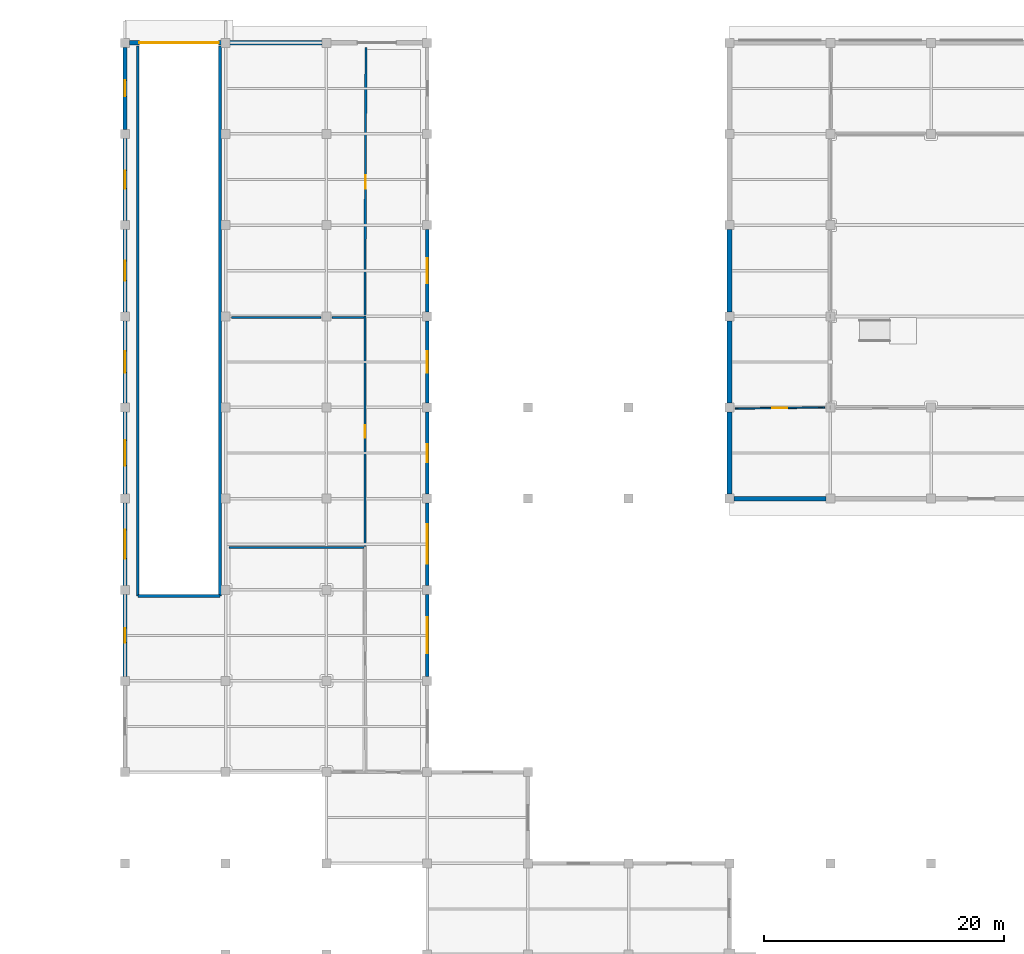
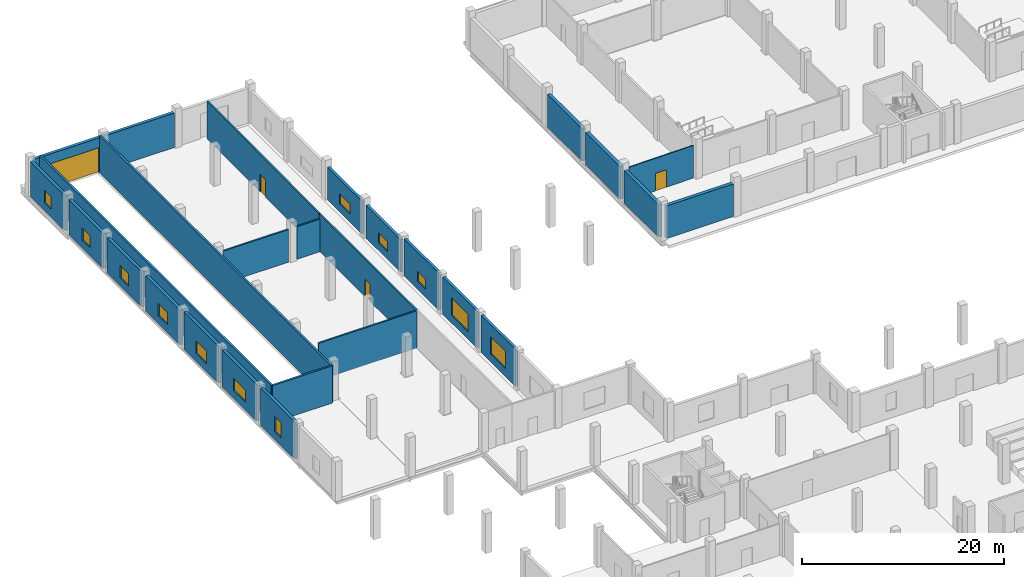
# One storey, part 21 of 36: 26 walls, 12 windows, 4 doors, 16 openings.
"""IFC4 building model written with IfcOpenShell, lengths in metres."""

from ifc_helpers import new_model, si_unit, direction, frame, frame_2d, origin, place, context, subcontext, project, spatial, rectangle, extrude, material, layer, layer_set, type_object, element, fill, save


model = new_model("IFC4")

# Units and contexts
model_context = context("Model", 3, precision=1e-05, world=origin(), true_north=direction((0.0, 1.0)))
body_context = subcontext(model_context, "Body", "Model", "MODEL_VIEW")
ifc_project = project(units=[si_unit("LENGTHUNIT", "METRE"), si_unit("AREAUNIT", "SQUARE_METRE"), si_unit("VOLUMEUNIT", "CUBIC_METRE"), si_unit("PLANEANGLEUNIT", "RADIAN"), si_unit("MASSUNIT", "GRAM", prefix="KILO")], contexts=[model_context])

# Site, building, storey
site_placement = place(None, origin())
site = spatial("IfcSite", under=ifc_project, at=site_placement, CompositionType="ELEMENT")
building_placement = place(site_placement, origin())
building = spatial("IfcBuilding", under=site, at=building_placement, Name="Zuvorla Pavilion Media Centre", CompositionType="ELEMENT")
storey_placement = place(building_placement, origin())
storey = spatial("IfcBuildingStorey", under=building, at=storey_placement, Name="L00", CompositionType="ELEMENT", Elevation=0.0)

# Walls
ifc_material_1 = material(Name="Acoustic masonry blockwork C32/40", Category="masonry")
ifc_layer_1 = layer(ifc_material_1, 0.219970703125)
ifc_layer_set_1 = layer_set([ifc_layer_1], Name="Acoustic masonry blockwork C32/40")
wall_type_1 = type_object("IfcWallType", Name="WL-CMP-220", PredefinedType="SOLIDWALL", material=ifc_layer_set_1)
for number, where, z_axis, x_axis, name in (
    (1, (17.47998046875, 73.8798828125, 0.0), (0.0, 0.0, 1.0), (0.0, 1.0, 0.0), "L00 solid wall IW22 366"),
    (2, (24.320068359375, 73.8798828125, 0.0), (0.0, 0.0, 1.0), (0.0, 1.0, 0.0), "L00 solid wall IW22 367"),
):
    element("IfcWall", number, at=place(storey_placement, frame(where, z_axis=z_axis, x_axis=x_axis)), inside=storey, type_object=wall_type_1, Name=name, PredefinedType="SOLIDWALL", context=body_context, shape_type="SweptSolid", body=[
        extrude(rectangle(XDim=45.8701171875, YDim=0.219970703125, at=frame_2d((22.93505859375, 0.0))), origin(), (0.0, 0.0, 1.0), 4.5),
    ])
wall_1_placement = place(storey_placement, frame((17.47998046875, 73.8798828125, 0.0), z_axis=(0.0, 0.0, 1.0), x_axis=(1.0, 0.0, 0.0)))
element("IfcWall", 3, at=wall_1_placement, inside=storey, type_object=wall_type_1, Name="L00 solid wall IW22 368", PredefinedType="SOLIDWALL", context=body_context, shape_type="SweptSolid", body=[
    extrude(rectangle(XDim=6.840087890625, YDim=0.219970703125, at=frame_2d((3.419921875, 0.0))), origin(), (0.0, 0.0, 1.0), 4.5),
])

# Wall, opening, window
ifc_material_2 = material(Name="White rendered concrete C32/40", Category="concrete")
ifc_layer_2 = layer(ifc_material_2, 0.300048828125)
ifc_layer_set_2 = layer_set([ifc_layer_2], Name="White rendered concrete C32/40")
wall_type_2 = type_object("IfcWallType", Name="WL-EXT-300", PredefinedType="SOLIDWALL", material=ifc_layer_set_2)
wall_2_placement = place(storey_placement, frame((41.60009765625, 67.175048828125, 0.0), z_axis=(0.0, 0.0, 1.0), x_axis=(0.0, 1.0, 0.0)))
wall_2 = element("IfcWall", 4, at=wall_2_placement, inside=storey, type_object=wall_type_2, Name="L00 exterior solid wall EW03 87", PredefinedType="SOLIDWALL", context=body_context, shape_type="SweptSolid", body=[
    extrude(rectangle(XDim=6.849853515625, YDim=0.300048828125, at=frame_2d((3.4248046875, 0.0))), origin(), (0.0, 0.0, 1.0), 4.5),
])
opening_1_placement = place(wall_2_placement, frame((1.925048828125, 0.0, 0.949951171875)))
opening_1 = element("IfcOpeningElement", 5, at=opening_1_placement, cuts=wall_2, Name="Opening WN23", PredefinedType="OPENING", context=body_context, shape_type="SweptSolid", body=[
    extrude(rectangle(XDim=3.0, YDim=2.10009765625, at=frame_2d((1.5, 1.050048828125))), frame((0.0, 0.159912109375, 0.0), z_axis=(0.0, -1.0, 0.0), x_axis=(1.0, 0.0, 0.0)), (0.0, 0.0, 1.0), 0.320068359375),
])
ifc_material_3 = material(Name="Anodised aluminium frame with solar double glazing", Category="aluminium")
window_type_1 = type_object("IfcWindowType", Name="WIN-WN23", PartitioningType="DOUBLE_PANEL_VERTICAL", PredefinedType="WINDOW", material=ifc_material_3)
window_1_placement = place(opening_1_placement, origin())
window_1 = element("IfcWindow", 6, at=window_1_placement, inside=storey, type_object=window_type_1, Name="L00 window WN23 23", OverallHeight=2.10009765625, OverallWidth=3.0, PartitioningType="DOUBLE_PANEL_VERTICAL", PredefinedType="WINDOW", context=body_context, shape_type="SweptSolid", body=[
    extrude(rectangle(XDim=3.0, YDim=2.10009765625, at=frame_2d((1.5, 1.050048828125))), frame((0.0, 0.030029296875, 0.0), z_axis=(0.0, -1.0, 0.0), x_axis=(1.0, 0.0, 0.0)), (0.0, 0.0, 1.0), 0.06005859375),
])
fill(opening_1, window_1)

wall_3_placement = place(storey_placement, frame((41.60009765625, 74.77490234375, 0.0), z_axis=(0.0, 0.0, 1.0), x_axis=(0.0, 1.0, 0.0)))
wall_3 = element("IfcWall", 7, at=wall_3_placement, inside=storey, type_object=wall_type_2, Name="L00 exterior solid wall EW03 88", PredefinedType="SOLIDWALL", context=body_context, shape_type="SweptSolid", body=[
    extrude(rectangle(XDim=6.85009765625, YDim=0.300048828125, at=frame_2d((3.425048828125, 0.0))), origin(), (0.0, 0.0, 1.0), 4.5),
])
opening_2_placement = place(wall_3_placement, frame((1.77490234375, 0.0, 0.949951171875)))
opening_2 = element("IfcOpeningElement", 8, at=opening_2_placement, cuts=wall_3, Name="Opening WN24", PredefinedType="OPENING", context=body_context, shape_type="SweptSolid", body=[
    extrude(rectangle(XDim=3.300048828125, YDim=2.10009765625, at=frame_2d((1.64990234375, 1.050048828125))), frame((0.0, 0.159912109375, 0.0), z_axis=(0.0, -1.0, 0.0), x_axis=(1.0, 0.0, 0.0)), (0.0, 0.0, 1.0), 0.320068359375),
])
window_type_2 = type_object("IfcWindowType", Name="WIN-WN24", PartitioningType="DOUBLE_PANEL_VERTICAL", PredefinedType="WINDOW", material=ifc_material_3)
window_2_placement = place(opening_2_placement, origin())
window_2 = element("IfcWindow", 9, at=window_2_placement, inside=storey, type_object=window_type_2, Name="L00 window WN24 24", OverallHeight=2.10009765625, OverallWidth=3.300048828125, PartitioningType="DOUBLE_PANEL_VERTICAL", PredefinedType="WINDOW", context=body_context, shape_type="SweptSolid", body=[
    extrude(rectangle(XDim=3.300048828125, YDim=2.10009765625, at=frame_2d((1.64990234375, 1.050048828125))), frame((0.0, 0.030029296875, 0.0), z_axis=(0.0, -1.0, 0.0), x_axis=(1.0, 0.0, 0.0)), (0.0, 0.0, 1.0), 0.06005859375),
])
fill(opening_2, window_2)

wall_4_placement = place(storey_placement, frame((41.60009765625, 82.375, 0.0), z_axis=(0.0, 0.0, 1.0), x_axis=(0.0, 1.0, 0.0)))
wall_4 = element("IfcWall", 10, at=wall_4_placement, inside=storey, type_object=wall_type_2, Name="L00 exterior solid wall EW03 89", PredefinedType="SOLIDWALL", context=body_context, shape_type="SweptSolid", body=[
    extrude(rectangle(XDim=6.85009765625, YDim=0.300048828125, at=frame_2d((3.425048828125, 0.0))), origin(), (0.0, 0.0, 1.0), 4.5),
])
opening_3_placement = place(wall_4_placement, frame((2.675048828125, 0.0, 0.949951171875)))
opening_3 = element("IfcOpeningElement", 11, at=opening_3_placement, cuts=wall_4, Name="Opening WN25", PredefinedType="OPENING", context=body_context, shape_type="SweptSolid", body=[
    extrude(rectangle(XDim=1.5, YDim=1.199951171875, at=frame_2d((0.75, 0.60009765625))), frame((0.0, 0.159912109375, 0.0), z_axis=(0.0, -1.0, 0.0), x_axis=(1.0, 0.0, 0.0)), (0.0, 0.0, 1.0), 0.320068359375),
])
window_type_3 = type_object("IfcWindowType", Name="WIN-WN25", PartitioningType="SINGLE_PANEL", PredefinedType="WINDOW", material=ifc_material_3)
window_3_placement = place(opening_3_placement, origin())
window_3 = element("IfcWindow", 12, at=window_3_placement, inside=storey, type_object=window_type_3, Name="L00 window WN25 25", OverallHeight=1.199951171875, OverallWidth=1.5, PartitioningType="SINGLE_PANEL", PredefinedType="WINDOW", context=body_context, shape_type="SweptSolid", body=[
    extrude(rectangle(XDim=1.5, YDim=1.199951171875, at=frame_2d((0.75, 0.60009765625))), frame((0.0, 0.030029296875, 0.0), z_axis=(0.0, -1.0, 0.0), x_axis=(1.0, 0.0, 0.0)), (0.0, 0.0, 1.0), 0.06005859375),
])
fill(opening_3, window_3)

wall_5_placement = place(storey_placement, frame((41.60009765625, 89.97509765625, 0.0), z_axis=(0.0, 0.0, 1.0), x_axis=(0.0, 1.0, 0.0)))
wall_5 = element("IfcWall", 13, at=wall_5_placement, inside=storey, type_object=wall_type_2, Name="L00 exterior solid wall EW03 90", PredefinedType="SOLIDWALL", context=body_context, shape_type="SweptSolid", body=[
    extrude(rectangle(XDim=6.849853515625, YDim=0.300048828125, at=frame_2d((3.4248046875, 0.0))), origin(), (0.0, 0.0, 1.0), 3.9501953125),
])
opening_4_placement = place(wall_5_placement, frame((2.52490234375, 0.0, 0.949951171875)))
opening_4 = element("IfcOpeningElement", 14, at=opening_4_placement, cuts=wall_5, Name="Opening WN26", PredefinedType="OPENING", context=body_context, shape_type="SweptSolid", body=[
    extrude(rectangle(XDim=1.800048828125, YDim=1.199951171875, at=frame_2d((0.89990234375, 0.60009765625))), frame((0.0, 0.159912109375, 0.0), z_axis=(0.0, -1.0, 0.0), x_axis=(1.0, 0.0, 0.0)), (0.0, 0.0, 1.0), 0.320068359375),
])
window_type_4 = type_object("IfcWindowType", Name="WIN-WN26", PartitioningType="DOUBLE_PANEL_VERTICAL", PredefinedType="WINDOW", material=ifc_material_3)
window_4_placement = place(opening_4_placement, origin())
window_4 = element("IfcWindow", 15, at=window_4_placement, inside=storey, type_object=window_type_4, Name="L00 window WN26 26", OverallHeight=1.199951171875, OverallWidth=1.800048828125, PartitioningType="DOUBLE_PANEL_VERTICAL", PredefinedType="WINDOW", context=body_context, shape_type="SweptSolid", body=[
    extrude(rectangle(XDim=1.800048828125, YDim=1.199951171875, at=frame_2d((0.89990234375, 0.60009765625))), frame((0.0, 0.030029296875, 0.0), z_axis=(0.0, -1.0, 0.0), x_axis=(1.0, 0.0, 0.0)), (0.0, 0.0, 1.0), 0.06005859375),
])
fill(opening_4, window_4)

wall_6_placement = place(storey_placement, frame((41.60009765625, 97.574951171875, 0.0), z_axis=(0.0, 0.0, 1.0), x_axis=(0.0, 1.0, 0.0)))
wall_6 = element("IfcWall", 16, at=wall_6_placement, inside=storey, type_object=wall_type_2, Name="L00 exterior solid wall EW03 91", PredefinedType="SOLIDWALL", context=body_context, shape_type="SweptSolid", body=[
    extrude(rectangle(XDim=6.85009765625, YDim=0.300048828125, at=frame_2d((3.425048828125, 0.0))), origin(), (0.0, 0.0, 1.0), 3.9501953125),
])
opening_5_placement = place(wall_6_placement, frame((2.375, 0.0, 0.949951171875)))
opening_5 = element("IfcOpeningElement", 17, at=opening_5_placement, cuts=wall_6, Name="Opening WN27", PredefinedType="OPENING", context=body_context, shape_type="SweptSolid", body=[
    extrude(rectangle(XDim=2.10009765625, YDim=1.199951171875, at=frame_2d((1.050048828125, 0.60009765625))), frame((0.0, 0.159912109375, 0.0), z_axis=(0.0, -1.0, 0.0), x_axis=(1.0, 0.0, 0.0)), (0.0, 0.0, 1.0), 0.320068359375),
])
window_type_5 = type_object("IfcWindowType", Name="WIN-WN27", PartitioningType="DOUBLE_PANEL_VERTICAL", PredefinedType="WINDOW", material=ifc_material_3)
window_5_placement = place(opening_5_placement, origin())
window_5 = element("IfcWindow", 18, at=window_5_placement, inside=storey, type_object=window_type_5, Name="L00 window WN27 27", OverallHeight=1.199951171875, OverallWidth=2.10009765625, PartitioningType="DOUBLE_PANEL_VERTICAL", PredefinedType="WINDOW", context=body_context, shape_type="SweptSolid", body=[
    extrude(rectangle(XDim=2.10009765625, YDim=1.199951171875, at=frame_2d((1.050048828125, 0.60009765625))), frame((0.0, 0.030029296875, 0.0), z_axis=(0.0, -1.0, 0.0), x_axis=(1.0, 0.0, 0.0)), (0.0, 0.0, 1.0), 0.06005859375),
])
fill(opening_5, window_5)

# Wall, opening, door
ifc_layer_3 = layer(ifc_material_2, 0.340087890625)
ifc_layer_set_3 = layer_set([ifc_layer_3], Name="White rendered concrete C32/40")
wall_type_3 = type_object("IfcWallType", Name="WL-EXT-340", PredefinedType="SOLIDWALL", material=ifc_layer_set_3)
wall_7_placement = place(storey_placement, frame((16.77490234375, 120.0, 0.0), z_axis=(0.0, 0.0, 1.0), x_axis=(1.0, 0.0, 0.0)))
wall_7 = element("IfcWall", 19, at=wall_7_placement, inside=storey, type_object=wall_type_3, Name="L00 exterior solid wall EW02 147", PredefinedType="SOLIDWALL", context=body_context, shape_type="SweptSolid", body=[
    extrude(rectangle(XDim=16.050048828125, YDim=0.340087890625, at=frame_2d((8.02490234375, 0.0))), origin(), (0.0, 0.0, 1.0), 4.18701171875),
])
opening_6_placement = place(wall_7_placement, frame((0.824951171875, 0.0, 0.0)))
opening_6 = element("IfcOpeningElement", 20, at=opening_6_placement, cuts=wall_7, Name="Opening SH01", PredefinedType="OPENING", context=body_context, shape_type="SweptSolid", body=[
    extrude(rectangle(XDim=6.60009765625, YDim=3.0, at=frame_2d((3.300048828125, 1.5))), frame((0.0, 0.179931640625, 0.0), z_axis=(0.0, -1.0, 0.0), x_axis=(1.0, 0.0, 0.0)), (0.0, 0.0, 1.0), 0.360107421875),
])
ifc_material_4 = material(Name="Motorised perforated aluminium vehicle roller shutter", Category="aluminium")
door_type_1 = type_object("IfcDoorType", Name="DR-SHT-660x300", OperationType="ROLLINGUP", PredefinedType="DOOR", material=ifc_material_4)
door_1_placement = place(opening_6_placement, origin())
door_1 = element("IfcDoor", 21, at=door_1_placement, inside=storey, type_object=door_type_1, Name="Vehicle Ramp Shutter DR-EXT-L00-017", OperationType="ROLLINGUP", OverallHeight=3.0, OverallWidth=6.60009765625, PredefinedType="DOOR", context=body_context, shape_type="SweptSolid", body=[
    extrude(rectangle(XDim=6.60009765625, YDim=3.0, at=frame_2d((3.300048828125, 1.5))), frame((0.0, 0.02490234375, 0.0), z_axis=(0.0, -1.0, 0.0), x_axis=(1.0, 0.0, 0.0)), (0.0, 0.0, 1.0), 0.050048828125),
])
fill(opening_6, door_1)

# Wall, opening, window
wall_8_placement = place(storey_placement, frame((16.39990234375, 119.625, 0.0), z_axis=(0.0, 0.0, 1.0), x_axis=(0.0, -1.0, 0.0)))
wall_8 = element("IfcWall", 22, at=wall_8_placement, inside=storey, type_object=wall_type_3, Name="L00 exterior solid wall EW02 148", PredefinedType="SOLIDWALL", context=body_context, shape_type="SweptSolid", body=[
    extrude(rectangle(XDim=6.85009765625, YDim=0.340087890625, at=frame_2d((3.425048828125, 0.0))), origin(), (0.0, 0.0, 1.0), 4.237060546875),
])
opening_7_placement = place(wall_8_placement, frame((2.75, 0.0, 0.949951171875)))
opening_7 = element("IfcOpeningElement", 23, at=opening_7_placement, cuts=wall_8, Name="Opening WN02", PredefinedType="OPENING", context=body_context, shape_type="SweptSolid", body=[
    extrude(rectangle(XDim=1.35009765625, YDim=1.5, at=frame_2d((0.675048828125, 0.75))), frame((0.0, 0.179931640625, 0.0), z_axis=(0.0, -1.0, 0.0), x_axis=(1.0, 0.0, 0.0)), (0.0, 0.0, 1.0), 0.360107421875),
])
window_type_6 = type_object("IfcWindowType", Name="WIN-WN02", PartitioningType="SINGLE_PANEL", PredefinedType="WINDOW", material=ifc_material_3)
window_6_placement = place(opening_7_placement, origin())
window_6 = element("IfcWindow", 24, at=window_6_placement, inside=storey, type_object=window_type_6, Name="L00 window WN02 30", OverallHeight=1.5, OverallWidth=1.35009765625, PartitioningType="SINGLE_PANEL", PredefinedType="WINDOW", context=body_context, shape_type="SweptSolid", body=[
    extrude(rectangle(XDim=1.35009765625, YDim=1.5, at=frame_2d((0.675048828125, 0.75))), frame((0.0, 0.030029296875, 0.0), z_axis=(0.0, -1.0, 0.0), x_axis=(1.0, 0.0, 0.0)), (0.0, 0.0, 1.0), 0.06005859375),
])
fill(opening_7, window_6)

wall_9_placement = place(storey_placement, frame((16.39990234375, 112.02490234375, 0.0), z_axis=(0.0, 0.0, 1.0), x_axis=(0.0, -1.0, 0.0)))
wall_9 = element("IfcWall", 25, at=wall_9_placement, inside=storey, type_object=wall_type_3, Name="L00 exterior solid wall EW02 149", PredefinedType="SOLIDWALL", context=body_context, shape_type="SweptSolid", body=[
    extrude(rectangle(XDim=6.849853515625, YDim=0.340087890625, at=frame_2d((3.4248046875, 0.0))), origin(), (0.0, 0.0, 1.0), 4.237060546875),
])
opening_8_placement = place(wall_9_placement, frame((2.675048828125, 0.0, 0.949951171875)))
opening_8 = element("IfcOpeningElement", 26, at=opening_8_placement, cuts=wall_9, Name="Opening WN03", PredefinedType="OPENING", context=body_context, shape_type="SweptSolid", body=[
    extrude(rectangle(XDim=1.5, YDim=1.5, at=frame_2d((0.75, 0.75))), frame((0.0, 0.179931640625, 0.0), z_axis=(0.0, -1.0, 0.0), x_axis=(1.0, 0.0, 0.0)), (0.0, 0.0, 1.0), 0.360107421875),
])
window_type_7 = type_object("IfcWindowType", Name="WIN-WN03", PartitioningType="SINGLE_PANEL", PredefinedType="WINDOW", material=ifc_material_3)
window_7_placement = place(opening_8_placement, origin())
window_7 = element("IfcWindow", 27, at=window_7_placement, inside=storey, type_object=window_type_7, Name="L00 window WN03 31", OverallHeight=1.5, OverallWidth=1.5, PartitioningType="SINGLE_PANEL", PredefinedType="WINDOW", context=body_context, shape_type="SweptSolid", body=[
    extrude(rectangle(XDim=1.5, YDim=1.5, at=frame_2d((0.75, 0.75))), frame((0.0, 0.030029296875, 0.0), z_axis=(0.0, -1.0, 0.0), x_axis=(1.0, 0.0, 0.0)), (0.0, 0.0, 1.0), 0.06005859375),
])
fill(opening_8, window_7)

wall_10_placement = place(storey_placement, frame((16.39990234375, 104.425048828125, 0.0), z_axis=(0.0, 0.0, 1.0), x_axis=(0.0, -1.0, 0.0)))
wall_10 = element("IfcWall", 28, at=wall_10_placement, inside=storey, type_object=wall_type_3, Name="L00 exterior solid wall EW02 150", PredefinedType="SOLIDWALL", context=body_context, shape_type="SweptSolid", body=[
    extrude(rectangle(XDim=6.85009765625, YDim=0.340087890625, at=frame_2d((3.425048828125, 0.0))), origin(), (0.0, 0.0, 1.0), 4.237060546875),
])
opening_9_placement = place(wall_10_placement, frame((2.60009765625, 0.0, 0.949951171875)))
opening_9 = element("IfcOpeningElement", 29, at=opening_9_placement, cuts=wall_10, Name="Opening WN04", PredefinedType="OPENING", context=body_context, shape_type="SweptSolid", body=[
    extrude(rectangle(XDim=1.64990234375, YDim=1.5, at=frame_2d((0.824951171875, 0.75))), frame((0.0, 0.179931640625, 0.0), z_axis=(0.0, -1.0, 0.0), x_axis=(1.0, 0.0, 0.0)), (0.0, 0.0, 1.0), 0.360107421875),
])
window_type_8 = type_object("IfcWindowType", Name="WIN-WN04", PartitioningType="SINGLE_PANEL", PredefinedType="WINDOW", material=ifc_material_3)
window_8_placement = place(opening_9_placement, origin())
window_8 = element("IfcWindow", 30, at=window_8_placement, inside=storey, type_object=window_type_8, Name="L00 window WN04 32", OverallHeight=1.5, OverallWidth=1.64990234375, PartitioningType="SINGLE_PANEL", PredefinedType="WINDOW", context=body_context, shape_type="SweptSolid", body=[
    extrude(rectangle(XDim=1.64990234375, YDim=1.5, at=frame_2d((0.824951171875, 0.75))), frame((0.0, 0.030029296875, 0.0), z_axis=(0.0, -1.0, 0.0), x_axis=(1.0, 0.0, 0.0)), (0.0, 0.0, 1.0), 0.06005859375),
])
fill(opening_9, window_8)

wall_11_placement = place(storey_placement, frame((16.39990234375, 96.824951171875, 0.0), z_axis=(0.0, 0.0, 1.0), x_axis=(0.0, -1.0, 0.0)))
wall_11 = element("IfcWall", 31, at=wall_11_placement, inside=storey, type_object=wall_type_3, Name="L00 exterior solid wall EW02 151", PredefinedType="SOLIDWALL", context=body_context, shape_type="SweptSolid", body=[
    extrude(rectangle(XDim=6.849853515625, YDim=0.340087890625, at=frame_2d((3.4248046875, 0.0))), origin(), (0.0, 0.0, 1.0), 4.237060546875),
])
opening_10_placement = place(wall_11_placement, frame((2.52490234375, 0.0, 0.949951171875)))
opening_10 = element("IfcOpeningElement", 32, at=opening_10_placement, cuts=wall_11, Name="Opening WN05", PredefinedType="OPENING", context=body_context, shape_type="SweptSolid", body=[
    extrude(rectangle(XDim=1.800048828125, YDim=1.5, at=frame_2d((0.89990234375, 0.75))), frame((0.0, 0.179931640625, 0.0), z_axis=(0.0, -1.0, 0.0), x_axis=(1.0, 0.0, 0.0)), (0.0, 0.0, 1.0), 0.360107421875),
])
window_type_9 = type_object("IfcWindowType", Name="WIN-WN05", PartitioningType="DOUBLE_PANEL_VERTICAL", PredefinedType="WINDOW", material=ifc_material_3)
window_9_placement = place(opening_10_placement, origin())
window_9 = element("IfcWindow", 33, at=window_9_placement, inside=storey, type_object=window_type_9, Name="L00 window WN05 33", OverallHeight=1.5, OverallWidth=1.800048828125, PartitioningType="DOUBLE_PANEL_VERTICAL", PredefinedType="WINDOW", context=body_context, shape_type="SweptSolid", body=[
    extrude(rectangle(XDim=1.800048828125, YDim=1.5, at=frame_2d((0.89990234375, 0.75))), frame((0.0, 0.030029296875, 0.0), z_axis=(0.0, -1.0, 0.0), x_axis=(1.0, 0.0, 0.0)), (0.0, 0.0, 1.0), 0.06005859375),
])
fill(opening_10, window_9)

wall_12_placement = place(storey_placement, frame((16.39990234375, 89.22509765625, 0.0), z_axis=(0.0, 0.0, 1.0), x_axis=(0.0, -1.0, 0.0)))
wall_12 = element("IfcWall", 34, at=wall_12_placement, inside=storey, type_object=wall_type_3, Name="L00 exterior solid wall EW02 152", PredefinedType="SOLIDWALL", context=body_context, shape_type="SweptSolid", body=[
    extrude(rectangle(XDim=6.85009765625, YDim=0.340087890625, at=frame_2d((3.425048828125, 0.0))), origin(), (0.0, 0.0, 1.0), 4.5),
])
opening_11_placement = place(wall_12_placement, frame((2.375, 0.0, 0.949951171875)))
opening_11 = element("IfcOpeningElement", 35, at=opening_11_placement, cuts=wall_12, Name="Opening WN06", PredefinedType="OPENING", context=body_context, shape_type="SweptSolid", body=[
    extrude(rectangle(XDim=2.10009765625, YDim=1.5, at=frame_2d((1.050048828125, 0.75))), frame((0.0, 0.179931640625, 0.0), z_axis=(0.0, -1.0, 0.0), x_axis=(1.0, 0.0, 0.0)), (0.0, 0.0, 1.0), 0.360107421875),
])
window_type_10 = type_object("IfcWindowType", Name="WIN-WN06", PartitioningType="DOUBLE_PANEL_VERTICAL", PredefinedType="WINDOW", material=ifc_material_3)
window_10_placement = place(opening_11_placement, origin())
window_10 = element("IfcWindow", 36, at=window_10_placement, inside=storey, type_object=window_type_10, Name="L00 window WN06 34", OverallHeight=1.5, OverallWidth=2.10009765625, PartitioningType="DOUBLE_PANEL_VERTICAL", PredefinedType="WINDOW", context=body_context, shape_type="SweptSolid", body=[
    extrude(rectangle(XDim=2.10009765625, YDim=1.5, at=frame_2d((1.050048828125, 0.75))), frame((0.0, 0.030029296875, 0.0), z_axis=(0.0, -1.0, 0.0), x_axis=(1.0, 0.0, 0.0)), (0.0, 0.0, 1.0), 0.06005859375),
])
fill(opening_11, window_10)

wall_13_placement = place(storey_placement, frame((16.39990234375, 81.625, 0.0), z_axis=(0.0, 0.0, 1.0), x_axis=(0.0, -1.0, 0.0)))
wall_13 = element("IfcWall", 37, at=wall_13_placement, inside=storey, type_object=wall_type_3, Name="L00 exterior solid wall EW02 153", PredefinedType="SOLIDWALL", context=body_context, shape_type="SweptSolid", body=[
    extrude(rectangle(XDim=6.85009765625, YDim=0.340087890625, at=frame_2d((3.425048828125, 0.0))), origin(), (0.0, 0.0, 1.0), 4.5),
])
opening_12_placement = place(wall_13_placement, frame((2.22509765625, 0.0, 0.949951171875)))
opening_12 = element("IfcOpeningElement", 38, at=opening_12_placement, cuts=wall_13, Name="Opening WN07", PredefinedType="OPENING", context=body_context, shape_type="SweptSolid", body=[
    extrude(rectangle(XDim=2.39990234375, YDim=1.5, at=frame_2d((1.199951171875, 0.75))), frame((0.0, 0.179931640625, 0.0), z_axis=(0.0, -1.0, 0.0), x_axis=(1.0, 0.0, 0.0)), (0.0, 0.0, 1.0), 0.360107421875),
])
window_type_11 = type_object("IfcWindowType", Name="WIN-WN07", PartitioningType="DOUBLE_PANEL_VERTICAL", PredefinedType="WINDOW", material=ifc_material_3)
window_11_placement = place(opening_12_placement, origin())
window_11 = element("IfcWindow", 39, at=window_11_placement, inside=storey, type_object=window_type_11, Name="L00 window WN07 35", OverallHeight=1.5, OverallWidth=2.39990234375, PartitioningType="DOUBLE_PANEL_VERTICAL", PredefinedType="WINDOW", context=body_context, shape_type="SweptSolid", body=[
    extrude(rectangle(XDim=2.39990234375, YDim=1.5, at=frame_2d((1.199951171875, 0.75))), frame((0.0, 0.030029296875, 0.0), z_axis=(0.0, -1.0, 0.0), x_axis=(1.0, 0.0, 0.0)), (0.0, 0.0, 1.0), 0.06005859375),
])
fill(opening_12, window_11)

wall_14_placement = place(storey_placement, frame((16.39990234375, 74.02490234375, 0.0), z_axis=(0.0, 0.0, 1.0), x_axis=(0.0, -1.0, 0.0)))
wall_14 = element("IfcWall", 40, at=wall_14_placement, inside=storey, type_object=wall_type_3, Name="L00 exterior solid wall EW02 154", PredefinedType="SOLIDWALL", context=body_context, shape_type="SweptSolid", body=[
    extrude(rectangle(XDim=6.849853515625, YDim=0.340087890625, at=frame_2d((3.4248046875, 0.0))), origin(), (0.0, 0.0, 1.0), 4.5),
])
opening_13_placement = place(wall_14_placement, frame((2.824951171875, 0.0, 0.949951171875)))
opening_13 = element("IfcOpeningElement", 41, at=opening_13_placement, cuts=wall_14, Name="Opening WN08", PredefinedType="OPENING", context=body_context, shape_type="SweptSolid", body=[
    extrude(rectangle(XDim=1.199951171875, YDim=1.800048828125, at=frame_2d((0.60009765625, 0.89990234375))), frame((0.0, 0.179931640625, 0.0), z_axis=(0.0, -1.0, 0.0), x_axis=(1.0, 0.0, 0.0)), (0.0, 0.0, 1.0), 0.360107421875),
])
window_type_12 = type_object("IfcWindowType", Name="WIN-WN08", PartitioningType="SINGLE_PANEL", PredefinedType="WINDOW", material=ifc_material_3)
window_12_placement = place(opening_13_placement, origin())
window_12 = element("IfcWindow", 42, at=window_12_placement, inside=storey, type_object=window_type_12, Name="L00 window WN08 36", OverallHeight=1.800048828125, OverallWidth=1.199951171875, PartitioningType="SINGLE_PANEL", PredefinedType="WINDOW", context=body_context, shape_type="SweptSolid", body=[
    extrude(rectangle(XDim=1.199951171875, YDim=1.800048828125, at=frame_2d((0.60009765625, 0.89990234375))), frame((0.0, 0.030029296875, 0.0), z_axis=(0.0, -1.0, 0.0), x_axis=(1.0, 0.0, 0.0)), (0.0, 0.0, 1.0), 0.06005859375),
])
fill(opening_13, window_12)

# Walls
ifc_material_5 = material(Name="Dark charcoal terracotta concrete C40/50", Category="masonry")
ifc_layer_4 = layer(ifc_material_5, 0.3798828125)
ifc_layer_set_4 = layer_set([ifc_layer_4], Name="Dark charcoal terracotta concrete C40/50")
wall_type_4 = type_object("IfcWallType", Name="WL-EXT-380", PredefinedType="SOLIDWALL", material=ifc_layer_set_4)
wall_15_placement = place(storey_placement, frame((67.175048828125, 82.0, 0.0), z_axis=(0.0, 0.0, 1.0), x_axis=(1.0, 0.0, 0.0)))
element("IfcWall", 43, at=wall_15_placement, inside=storey, type_object=wall_type_4, Name="L00 exterior solid wall EW01 94", PredefinedType="SOLIDWALL", context=body_context, shape_type="SweptSolid", body=[
    extrude(rectangle(XDim=7.64990234375, YDim=0.3798828125, at=frame_2d((3.824951171875, 0.0))), origin(), (0.0, 0.0, 1.0), 3.9501953125),
])
wall_16_placement = place(storey_placement, frame((66.800048828125, 104.425048828125, 0.0), z_axis=(0.0, 0.0, 1.0), x_axis=(0.0, -1.0, 0.0)))
element("IfcWall", 44, at=wall_16_placement, inside=storey, type_object=wall_type_4, Name="L00 exterior solid wall EW01 117", PredefinedType="SOLIDWALL", context=body_context, shape_type="SweptSolid", body=[
    extrude(rectangle(XDim=6.85009765625, YDim=0.3798828125, at=frame_2d((3.425048828125, 0.0))), origin(), (0.0, 0.0, 1.0), 3.9501953125),
])
wall_17_placement = place(storey_placement, frame((66.800048828125, 96.824951171875, 0.0), z_axis=(0.0, 0.0, 1.0), x_axis=(0.0, -1.0, 0.0)))
element("IfcWall", 45, at=wall_17_placement, inside=storey, type_object=wall_type_4, Name="L00 exterior solid wall EW01 118", PredefinedType="SOLIDWALL", context=body_context, shape_type="SweptSolid", body=[
    extrude(rectangle(XDim=6.849853515625, YDim=0.3798828125, at=frame_2d((3.4248046875, 0.0))), origin(), (0.0, 0.0, 1.0), 3.9501953125),
])
wall_18_placement = place(storey_placement, frame((66.800048828125, 89.22509765625, 0.0), z_axis=(0.0, 0.0, 1.0), x_axis=(0.0, -1.0, 0.0)))
element("IfcWall", 46, at=wall_18_placement, inside=storey, type_object=wall_type_4, Name="L00 exterior solid wall EW01 119", PredefinedType="SOLIDWALL", context=body_context, shape_type="SweptSolid", body=[
    extrude(rectangle(XDim=6.85009765625, YDim=0.3798828125, at=frame_2d((3.425048828125, 0.0))), origin(), (0.0, 0.0, 1.0), 3.9501953125),
])

# Wall, opening, door
ifc_material_6 = material(Name="Lightweight gypsum partition")
ifc_layer_5 = layer(ifc_material_6, 0.1201171875)
ifc_layer_set_5 = layer_set([ifc_layer_5], Name="Lightweight gypsum partition")
wall_type_5 = type_object("IfcWallType", Name="WL-PRT-120", PredefinedType="PARTITIONING", material=ifc_layer_set_5)
wall_19_placement = place(storey_placement, frame((67.280029296875, 89.510986328125, 0.0), z_axis=(0.0, 0.0, 1.0), x_axis=(0.999930126163, 0.01182128555, 0.0)))
wall_19 = element("IfcWall", 47, at=wall_19_placement, inside=storey, type_object=wall_type_5, Name="L00 partition PT12 396", PredefinedType="PARTITIONING", context=body_context, shape_type="SweptSolid", body=[
    extrude(rectangle(XDim=7.45556640625, YDim=0.1201171875, at=frame_2d((3.727783203125, 0.0))), origin(), (0.0, 0.0, 1.0), 3.9501953125),
])
opening_14_placement = place(wall_19_placement, frame((3.102783203125, 0.0, 0.0)))
opening_14 = element("IfcOpeningElement", 48, at=opening_14_placement, cuts=wall_19, Name="Opening ID07", PredefinedType="OPENING", context=body_context, shape_type="SweptSolid", body=[
    extrude(rectangle(XDim=1.25, YDim=2.1201171875, at=frame_2d((0.625, 1.06005859375))), frame((0.0, 0.070068359375, 0.0), z_axis=(0.0, -1.0, 0.0), x_axis=(1.0, 0.0, 0.0)), (0.0, 0.0, 1.0), 0.14013671875),
])
ifc_material_7 = material(Name="Hardwood acoustic studio door in anodised frame", Category="wood")
door_type_2 = type_object("IfcDoorType", Name="DR-UNR-ID07", OperationType="NOTDEFINED", PredefinedType="DOOR", material=ifc_material_7)
door_2_placement = place(opening_14_placement, origin())
door_2 = element("IfcDoor", 49, at=door_2_placement, inside=storey, type_object=door_type_2, Name="Interior door ID07 140", OperationType="SINGLE_SWING_LEFT", OverallHeight=2.1201171875, OverallWidth=1.25, PredefinedType="DOOR", context=body_context, shape_type="SweptSolid", body=[
    extrude(rectangle(XDim=1.25, YDim=2.1201171875, at=frame_2d((0.625, 1.06005859375))), frame((0.0, 0.02490234375, 0.0), z_axis=(0.0, -1.0, 0.0), x_axis=(1.0, 0.0, 0.0)), (0.0, 0.0, 1.0), 0.050048828125),
])
fill(opening_14, door_2)

ifc_material_8 = material(Name="Double acoustic gypsum stud partition")
ifc_layer_6 = layer(ifc_material_8, 0.179931640625)
ifc_layer_set_6 = layer_set([ifc_layer_6], Name="Double acoustic gypsum stud partition")
wall_type_6 = type_object("IfcWallType", Name="WL-PRT-180", PredefinedType="PARTITIONING", material=ifc_layer_set_6)
wall_20_placement = place(storey_placement, frame((36.39990234375, 77.990478515625, 0.0), z_axis=(0.0, 0.0, 1.0), x_axis=(0.0, 1.0, 0.0)))
wall_20 = element("IfcWall", 50, at=wall_20_placement, inside=storey, type_object=wall_type_6, Name="L00 partition PT18 394", PredefinedType="PARTITIONING", context=body_context, shape_type="SweptSolid", body=[
    extrude(rectangle(XDim=19.22900390625, YDim=0.179931640625, at=frame_2d((9.614501953125, 0.0))), origin(), (0.0, 0.0, 1.0), 4.5),
])
opening_15_placement = place(wall_20_placement, frame((9.089599609375, 0.0, 0.0)))
opening_15 = element("IfcOpeningElement", 51, at=opening_15_placement, cuts=wall_20, Name="Opening FD04", PredefinedType="OPENING", context=body_context, shape_type="SweptSolid", body=[
    extrude(rectangle(XDim=1.050048828125, YDim=2.10009765625, at=frame_2d((0.52490234375, 1.050048828125))), frame((0.0, 0.099853515625, 0.0), z_axis=(0.0, -1.0, 0.0), x_axis=(1.0, 0.0, 0.0)), (0.0, 0.0, 1.0), 0.199951171875),
])
ifc_material_9 = material(Name="Acoustic timber fire door leaf in steel frame", Category="steel")
door_type_3 = type_object("IfcDoorType", Name="DR-INT-FD04", OperationType="NOTDEFINED", PredefinedType="DOOR", material=ifc_material_9)
door_3_placement = place(opening_15_placement, origin())
door_3 = element("IfcDoor", 52, at=door_3_placement, inside=storey, type_object=door_type_3, Name="Interior door FD04 138", OperationType="SINGLE_SWING_LEFT", OverallHeight=2.10009765625, OverallWidth=1.050048828125, PredefinedType="DOOR", context=body_context, shape_type="SweptSolid", body=[
    extrude(rectangle(XDim=1.050048828125, YDim=2.10009765625, at=frame_2d((0.52490234375, 1.050048828125))), frame((0.0, 0.02490234375, 0.0), z_axis=(0.0, -1.0, 0.0), x_axis=(1.0, 0.0, 0.0)), (0.0, 0.0, 1.0), 0.050048828125),
])
fill(opening_15, door_3)

wall_21_placement = place(storey_placement, frame((36.400390625, 97.1904296875, 0.0), z_axis=(0.0, 0.0, 1.0), x_axis=(0.003998224933, 0.999992007067, 0.0)))
wall_21 = element("IfcWall", 53, at=wall_21_placement, inside=storey, type_object=wall_type_6, Name="L00 partition PT18 395", PredefinedType="PARTITIONING", context=body_context, shape_type="SweptSolid", body=[
    extrude(rectangle(XDim=22.409912109375, YDim=0.179931640625, at=frame_2d((11.205078125, 0.0))), origin(), (0.0, 0.0, 1.0), 4.5),
])
opening_16_placement = place(wall_21_placement, frame((10.65478515625, 0.0, 0.0)))
opening_16 = element("IfcOpeningElement", 54, at=opening_16_placement, cuts=wall_21, Name="Opening FD05", PredefinedType="OPENING", context=body_context, shape_type="SweptSolid", body=[
    extrude(rectangle(XDim=1.10009765625, YDim=2.10009765625, at=frame_2d((0.550048828125, 1.050048828125))), frame((0.0, 0.099853515625, 0.0), z_axis=(0.0, -1.0, 0.0), x_axis=(1.0, 0.0, 0.0)), (0.0, 0.0, 1.0), 0.199951171875),
])
door_type_4 = type_object("IfcDoorType", Name="DR-INT-FD05", OperationType="NOTDEFINED", PredefinedType="DOOR", material=ifc_material_9)
door_4_placement = place(opening_16_placement, origin())
door_4 = element("IfcDoor", 55, at=door_4_placement, inside=storey, type_object=door_type_4, Name="Interior door FD05 139", OperationType="SINGLE_SWING_RIGHT", OverallHeight=2.10009765625, OverallWidth=1.10009765625, PredefinedType="DOOR", context=body_context, shape_type="SweptSolid", body=[
    extrude(rectangle(XDim=1.10009765625, YDim=2.10009765625, at=frame_2d((0.550048828125, 1.050048828125))), frame((0.0, 0.02490234375, 0.0), z_axis=(0.0, -1.0, 0.0), x_axis=(1.0, 0.0, 0.0)), (0.0, 0.0, 1.0), 0.050048828125),
])
fill(opening_16, door_4)

# Walls
wall_22_placement = place(storey_placement, frame((25.080078125, 77.909912109375, 0.0), z_axis=(0.0, 0.0, 1.0), x_axis=(1.0, 0.0, 0.0)))
element("IfcWall", 56, at=wall_22_placement, inside=storey, type_object=wall_type_6, Name="L00 partition PT18 447", PredefinedType="PARTITIONING", context=body_context, shape_type="SweptSolid", body=[
    extrude(rectangle(XDim=11.22998046875, YDim=0.179931640625, at=frame_2d((5.614990234375, 0.0))), origin(), (0.0, 0.0, 1.0), 4.5),
])
wall_23_placement = place(storey_placement, frame((25.264892578125, 97.110107421875, 0.0), z_axis=(0.0, 0.0, 1.0), x_axis=(1.0, 0.0, 0.0)))
element("IfcWall", 57, at=wall_23_placement, inside=storey, type_object=wall_type_6, Name="L00 partition PT18 448", PredefinedType="PARTITIONING", context=body_context, shape_type="SweptSolid", body=[
    extrude(rectangle(XDim=7.47021484375, YDim=0.179931640625, at=frame_2d((3.735107421875, 0.0))), origin(), (0.0, 0.0, 1.0), 3.9501953125),
])
wall_24_placement = place(storey_placement, frame((33.6650390625, 97.110107421875, 0.0), z_axis=(0.0, 0.0, 1.0), x_axis=(1.0, 0.0, 0.0)))
element("IfcWall", 58, at=wall_24_placement, inside=storey, type_object=wall_type_6, Name="L00 partition PT18 449", PredefinedType="PARTITIONING", context=body_context, shape_type="SweptSolid", body=[
    extrude(rectangle(XDim=2.64501953125, YDim=0.179931640625, at=frame_2d((1.322509765625, 0.0))), origin(), (0.0, 0.0, 1.0), 3.9501953125),
])

save(model, "model.ifc")
